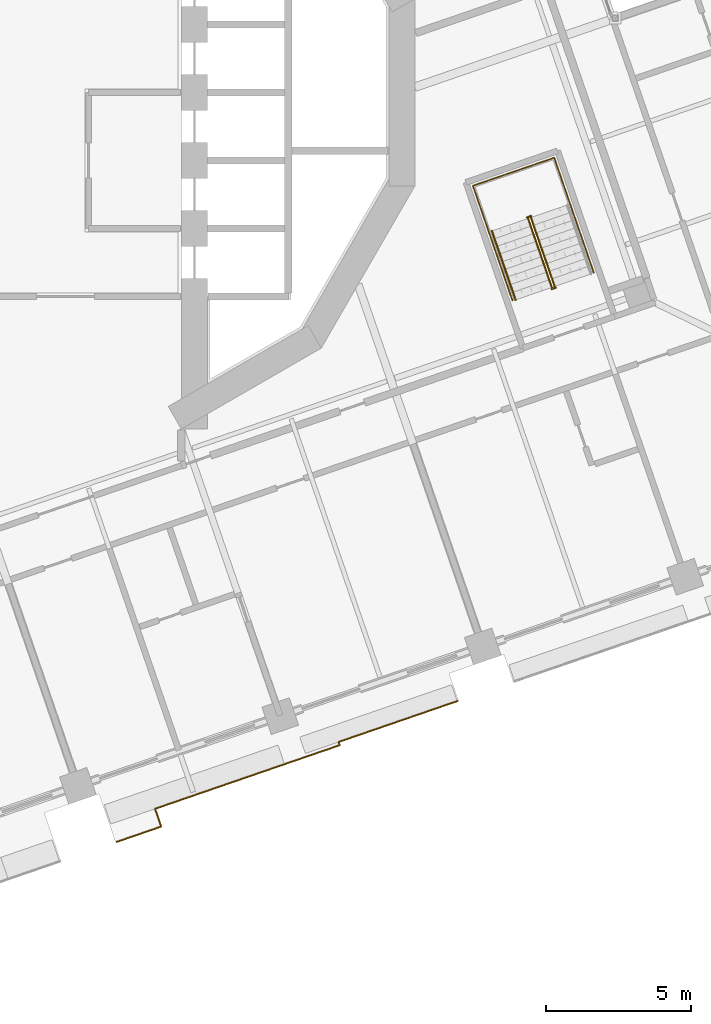
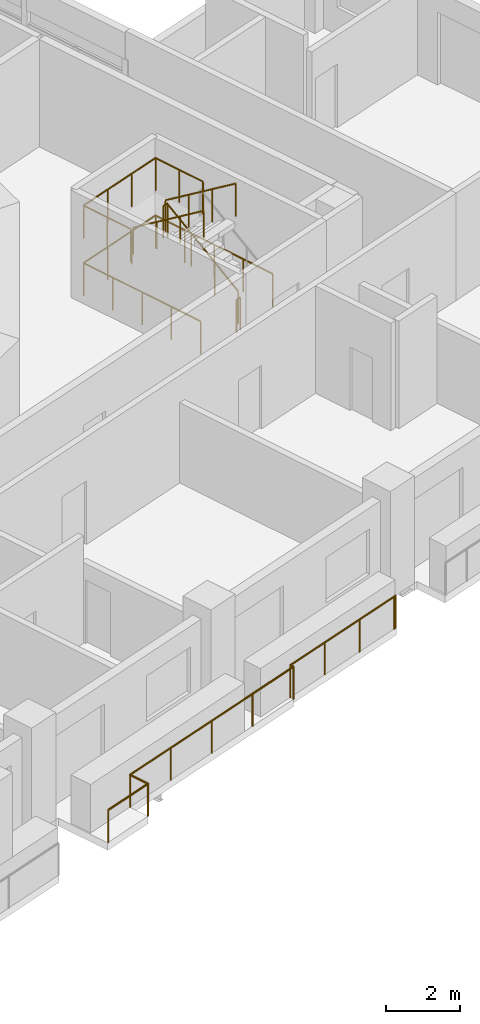
# One storey, part 16 of 19: 7 railings.
"""IFC4 building model written with IfcOpenShell, lengths in metres."""

from ifc_helpers import new_model, si_unit, direction, frame, origin, origin_2d, place, context, subcontext, project, spatial, circle, extrude, material, type_object, element, save


model = new_model("IFC4")

# Units and contexts
model_context = context("Model", 3, precision=1e-05, world=origin(), true_north=direction((0.0, 1.0)))
body_context = subcontext(model_context, "Body", "Model", "MODEL_VIEW")
ifc_project = project(units=[si_unit("LENGTHUNIT", "METRE"), si_unit("AREAUNIT", "SQUARE_METRE"), si_unit("VOLUMEUNIT", "CUBIC_METRE"), si_unit("PLANEANGLEUNIT", "RADIAN"), si_unit("MASSUNIT", "GRAM", prefix="KILO")], contexts=[model_context])

# Site, building, storey
site_placement = place(None, origin())
site = spatial("IfcSite", under=ifc_project, at=site_placement, CompositionType="ELEMENT")
building_placement = place(site_placement, origin())
building = spatial("IfcBuilding", under=site, at=building_placement, Name="Cantera Rosa Tower", CompositionType="ELEMENT")
storey_placement = place(building_placement, frame((0.0, 0.0, 130.699951171875)))
storey = spatial("IfcBuildingStorey", under=building, at=storey_placement, Name="L27", CompositionType="ELEMENT", Elevation=130.699951171875)

# Railings
ifc_material_1 = material(Name="Stainless steel and laminated glass", Category="steel")
railing_type_1 = type_object("IfcRailingType", Name="GUARD 1100", PredefinedType="BALUSTRADE", material=ifc_material_1)
railing_1_placement = place(storey_placement, frame((13.55615234375, -21.032470703125, 0.0)))
element("IfcRailing", 1, at=railing_1_placement, inside=storey, type_object=railing_type_1, Name="GUARD L27-8", PredefinedType="BALUSTRADE", context=body_context, shape_type="SweptSolid", body=[
    extrude(circle(Radius=0.030029296875, at=origin_2d()), frame((0.0, 0.0, 1.070068359375), z_axis=(-0.946220044844, -0.323523765333, 0.0), x_axis=(0.323523765333, -0.946220044844, 0.0)), (0.0, 0.0, 1.0), 0.070068359375),
    extrude(circle(Radius=0.030029296875, at=origin_2d()), frame((-0.06640625, -0.022705078125, 1.070068359375), z_axis=(-0.945512264962, -0.325586481301, 0.0), x_axis=(0.325586481301, -0.945512264962, 0.0)), (0.0, 0.0, 1.0), 4.28173828125),
    extrude(circle(Radius=0.030029296875, at=origin_2d()), frame((-4.11474609375, -1.416748046875, 1.070068359375), z_axis=(0.326117900523, -0.945329104047, 0.0), x_axis=(0.945329104047, 0.326117900523, 0.0)), (0.0, 0.0, 1.0), 0.1181640625),
    extrude(circle(Radius=0.030029296875, at=origin_2d()), frame((-4.076171875, -1.528564453125, 1.070068359375), z_axis=(-0.945519334272, -0.325565951103, 0.0), x_axis=(0.325565951103, -0.945519334272, 0.0)), (0.0, 0.0, 1.0), 6.749755859375),
    extrude(circle(Radius=0.030029296875, at=origin_2d()), frame((-10.458251953125, -3.72607421875, 1.070068359375), z_axis=(0.32578247151, -0.945444753149, 0.0), x_axis=(0.945444753149, 0.32578247151, 0.0)), (0.0, 0.0, 1.0), 0.650390625),
    extrude(circle(Radius=0.030029296875, at=origin_2d()), frame((-10.246337890625, -4.341064453125, 1.070068359375), z_axis=(-0.945523301181, -0.325554430047, 0.0), x_axis=(0.325554430047, -0.945523301181, 0.0)), (0.0, 0.0, 1.0), 1.638671875),
    extrude(circle(Radius=0.02490234375, at=origin_2d()), origin(), (0.0, 0.0, 1.0), 1.0400390625),
    extrude(circle(Radius=0.02490234375, at=origin_2d()), frame((-0.06640625, -0.022705078125, 0.0)), (0.0, 0.0, 1.0), 1.0400390625),
    extrude(circle(Radius=0.02490234375, at=origin_2d()), frame((-1.415771484375, -0.4873046875, 0.0)), (0.0, 0.0, 1.0), 1.0400390625),
    extrude(circle(Radius=0.02490234375, at=origin_2d()), frame((-2.765380859375, -0.9521484375, 0.0)), (0.0, 0.0, 1.0), 1.0400390625),
    extrude(circle(Radius=0.02490234375, at=origin_2d()), frame((-4.11474609375, -1.416748046875, 0.0)), (0.0, 0.0, 1.0), 1.0400390625),
    extrude(circle(Radius=0.02490234375, at=origin_2d()), frame((-4.076171875, -1.528564453125, 0.0)), (0.0, 0.0, 1.0), 1.0400390625),
    extrude(circle(Radius=0.02490234375, at=origin_2d()), frame((-5.671630859375, -2.077880859375, 0.0)), (0.0, 0.0, 1.0), 1.0400390625),
    extrude(circle(Radius=0.02490234375, at=origin_2d()), frame((-7.26708984375, -2.62744140625, 0.0)), (0.0, 0.0, 1.0), 1.0400390625),
    extrude(circle(Radius=0.02490234375, at=origin_2d()), frame((-8.86279296875, -3.1767578125, 0.0)), (0.0, 0.0, 1.0), 1.0400390625),
    extrude(circle(Radius=0.02490234375, at=origin_2d()), frame((-10.458251953125, -3.72607421875, 0.0)), (0.0, 0.0, 1.0), 1.0400390625),
    extrude(circle(Radius=0.02490234375, at=origin_2d()), frame((-10.246337890625, -4.341064453125, 0.0)), (0.0, 0.0, 1.0), 1.0400390625),
    extrude(circle(Radius=0.02490234375, at=origin_2d()), frame((-11.795654296875, -4.87451171875, 0.0)), (0.0, 0.0, 1.0), 1.0400390625),
])
ifc_material_2 = material(Name="Steel S355J2 (EN 10025-2)", Category="steel")
railing_type_2 = type_object("IfcRailingType", Name="STAIR GUARD 1100", PredefinedType="GUARDRAIL", material=ifc_material_2)
railing_2_placement = place(storey_placement, frame((16.902099609375, -6.707763671875, 0.18994140625)))
element("IfcRailing", 2, at=railing_2_placement, inside=storey, type_object=railing_type_2, Name="L27 ST-23 stair guard 1", PredefinedType="GUARDRAIL", context=body_context, shape_type="SweptSolid", body=[
    extrude(circle(Radius=0.02392578125, at=origin_2d()), frame((0.0, 0.0, 1.076171875), z_axis=(-0.269345946519, 0.782385844651, 0.561538201002), x_axis=(-0.945537585866, -0.325512939397, 0.0)), (0.0, 0.0, 1.0), 3.045654296875),
    extrude(circle(Radius=0.02392578125, at=origin_2d()), frame((-0.8203125, 2.3828125, 2.7861328125), z_axis=(0.147491890402, 0.989063265047, 0.0), x_axis=(-0.989063265047, 0.147491890402, 0.0)), (0.0, 0.0, 1.0), 0.056396484375),
    extrude(circle(Radius=0.02392578125, at=origin_2d()), frame((-0.81201171875, 2.4384765625, 2.7861328125), z_axis=(-0.945545797087, -0.325489086777, 0.0), x_axis=(0.325489086777, -0.945545797087, 0.0)), (0.0, 0.0, 1.0), 0.14990234375),
    extrude(circle(Radius=0.02099609375, at=origin_2d()), origin(), (0.0, 0.0, 1.0), 1.052001953125),
    extrude(circle(Radius=0.02099609375, at=origin_2d()), frame((-0.2734375, 0.794189453125, 0.570068359375)), (0.0, 0.0, 1.0), 1.052001953125),
    extrude(circle(Radius=0.02099609375, at=origin_2d()), frame((-0.546875, 1.588623046875, 1.14013671875)), (0.0, 0.0, 1.0), 1.052001953125),
    extrude(circle(Radius=0.02099609375, at=origin_2d()), frame((-0.8203125, 2.3828125, 1.710205078125)), (0.0, 0.0, 1.0), 1.052001953125),
    extrude(circle(Radius=0.02099609375, at=origin_2d()), frame((-0.81201171875, 2.4384765625, 1.710205078125)), (0.0, 0.0, 1.0), 1.052001953125),
    extrude(circle(Radius=0.02099609375, at=origin_2d()), frame((-0.953857421875, 2.3896484375, 1.710205078125)), (0.0, 0.0, 1.0), 1.052001953125),
])
railing_3_placement = place(storey_placement, frame((15.989013671875, -4.35693359375, 2.090087890625)))
element("IfcRailing", 3, at=railing_3_placement, inside=storey, type_object=railing_type_2, Name="L27 ST-23 stair guard 2", PredefinedType="GUARDRAIL", context=body_context, shape_type="SweptSolid", body=[
    extrude(circle(Radius=0.02392578125, at=origin_2d()), frame((0.0, 0.0, 1.076171875), z_axis=(0.269432418223, -0.782404165978, 0.561471186323), x_axis=(0.94550776501, 0.325599548996, 0.0)), (0.0, 0.0, 1.0), 3.04541015625),
    extrude(circle(Radius=0.02099609375, at=origin_2d()), origin(), (0.0, 0.0, 1.0), 1.052001953125),
    extrude(circle(Radius=0.02099609375, at=origin_2d()), frame((0.2734375, -0.794189453125, 0.570068359375)), (0.0, 0.0, 1.0), 1.052001953125),
    extrude(circle(Radius=0.02099609375, at=origin_2d()), frame((0.547119140625, -1.588623046875, 1.139892578125)), (0.0, 0.0, 1.0), 1.052001953125),
    extrude(circle(Radius=0.02099609375, at=origin_2d()), frame((0.820556640625, -2.3828125, 1.7099609375)), (0.0, 0.0, 1.0), 1.052001953125),
])
railing_4_placement = place(storey_placement, frame((16.94287109375, -6.74658203125, 0.0)))
element("IfcRailing", 4, at=railing_4_placement, inside=storey, type_object=railing_type_2, Name="L27 ST-23 stair guard 3", PredefinedType="GUARDRAIL", context=body_context, shape_type="SweptSolid", body=[
    extrude(circle(Radius=0.02392578125, at=origin_2d()), frame((0.0, 0.0, 1.076171875), z_axis=(-0.945372981626, -0.325990683319, 0.0), x_axis=(0.325990683319, -0.945372981626, 0.0)), (0.0, 0.0, 1.0), 0.14990234375),
    extrude(circle(Radius=0.02099609375, at=origin_2d()), origin(), (0.0, 0.0, 1.0), 1.052001953125),
    extrude(circle(Radius=0.02099609375, at=origin_2d()), frame((-0.1416015625, -0.048828125, 0.0)), (0.0, 0.0, 1.0), 1.052001953125),
])
railing_5_placement = place(storey_placement, frame((18.256103515625, -6.22900390625, 0.0)))
element("IfcRailing", 5, at=railing_5_placement, inside=storey, type_object=railing_type_2, Name="L27 ST-23 stair guard 4", PredefinedType="GUARDRAIL", context=body_context, shape_type="SweptSolid", body=[
    extrude(circle(Radius=0.02392578125, at=origin_2d()), frame((0.0, 0.0, 1.076171875), z_axis=(-0.3255981694, 0.945508240093, 0.0), x_axis=(-0.945508240093, -0.3255981694, 0.0)), (0.0, 0.0, 1.0), 4.1982421875),
    extrude(circle(Radius=0.02392578125, at=origin_2d()), frame((-1.366943359375, 3.969482421875, 1.076171875), z_axis=(-0.945504814226, -0.325608117645, 0.0), x_axis=(0.325608117645, -0.945504814226, 0.0)), (0.0, 0.0, 1.0), 2.969970703125),
    extrude(circle(Radius=0.02392578125, at=origin_2d()), frame((-4.175048828125, 3.00244140625, 1.076171875), z_axis=(0.325564081496, -0.945519978022, 0.0), x_axis=(0.945519978022, 0.325564081496, 0.0)), (0.0, 0.0, 1.0), 4.197998046875),
    extrude(circle(Radius=0.02099609375, at=origin_2d()), origin(), (0.0, 0.0, 1.0), 1.052001953125),
    extrude(circle(Radius=0.02099609375, at=origin_2d()), frame((-0.341796875, 0.992431640625, 0.0)), (0.0, 0.0, 1.0), 1.052001953125),
    extrude(circle(Radius=0.02099609375, at=origin_2d()), frame((-0.68359375, 1.98486328125, 0.0)), (0.0, 0.0, 1.0), 1.052001953125),
    extrude(circle(Radius=0.02099609375, at=origin_2d()), frame((-1.025146484375, 2.97705078125, 0.0)), (0.0, 0.0, 1.0), 1.052001953125),
    extrude(circle(Radius=0.02099609375, at=origin_2d()), frame((-1.366943359375, 3.969482421875, 0.0)), (0.0, 0.0, 1.0), 1.052001953125),
    extrude(circle(Radius=0.02099609375, at=origin_2d()), frame((-2.302978515625, 3.647216796875, 0.0)), (0.0, 0.0, 1.0), 1.052001953125),
    extrude(circle(Radius=0.02099609375, at=origin_2d()), frame((-3.239013671875, 3.32470703125, 0.0)), (0.0, 0.0, 1.0), 1.052001953125),
    extrude(circle(Radius=0.02099609375, at=origin_2d()), frame((-4.175048828125, 3.00244140625, 0.0)), (0.0, 0.0, 1.0), 1.052001953125),
    extrude(circle(Radius=0.02099609375, at=origin_2d()), frame((-3.83349609375, 2.01025390625, 0.0)), (0.0, 0.0, 1.0), 1.052001953125),
    extrude(circle(Radius=0.02099609375, at=origin_2d()), frame((-3.49169921875, 1.017822265625, 0.0)), (0.0, 0.0, 1.0), 1.052001953125),
    extrude(circle(Radius=0.02099609375, at=origin_2d()), frame((-3.14990234375, 0.025390625, 0.0)), (0.0, 0.0, 1.0), 1.052001953125),
    extrude(circle(Radius=0.02099609375, at=origin_2d()), frame((-2.808349609375, -0.966796875, 0.0)), (0.0, 0.0, 1.0), 1.052001953125),
])
railing_6_placement = place(storey_placement, frame((17.443359375, -3.868896484375, 1.900146484375)))
element("IfcRailing", 6, at=railing_6_placement, inside=storey, type_object=railing_type_2, Name="L27 ST-23 stair guard 5", PredefinedType="GUARDRAIL", context=body_context, shape_type="SweptSolid", body=[
    extrude(circle(Radius=0.02392578125, at=origin_2d()), frame((0.0, 0.0, 1.076171875), z_axis=(-0.32559282233, 0.94551008141, 0.0), x_axis=(-0.94551008141, -0.32559282233, 0.0)), (0.0, 0.0, 1.0), 1.7021484375),
    extrude(circle(Radius=0.02392578125, at=origin_2d()), frame((-0.55419921875, 1.609375, 1.076171875), z_axis=(-0.945504814226, -0.325608117645, 0.0), x_axis=(0.325608117645, -0.945504814226, 0.0)), (0.0, 0.0, 1.0), 2.969970703125),
    extrude(circle(Radius=0.02392578125, at=origin_2d()), frame((-3.3623046875, 0.642333984375, 1.076171875), z_axis=(0.32559282233, -0.94551008141, 0.0), x_axis=(0.94551008141, 0.32559282233, 0.0)), (0.0, 0.0, 1.0), 1.7021484375),
    extrude(circle(Radius=0.02099609375, at=origin_2d()), origin(), (0.0, 0.0, 1.0), 1.052001953125),
    extrude(circle(Radius=0.02099609375, at=origin_2d()), frame((-0.277099609375, 0.8046875, 0.0)), (0.0, 0.0, 1.0), 1.052001953125),
    extrude(circle(Radius=0.02099609375, at=origin_2d()), frame((-0.55419921875, 1.609375, 0.0)), (0.0, 0.0, 1.0), 1.052001953125),
    extrude(circle(Radius=0.02099609375, at=origin_2d()), frame((-1.490234375, 1.287109375, 0.0)), (0.0, 0.0, 1.0), 1.052001953125),
    extrude(circle(Radius=0.02099609375, at=origin_2d()), frame((-2.42626953125, 0.964599609375, 0.0)), (0.0, 0.0, 1.0), 1.052001953125),
    extrude(circle(Radius=0.02099609375, at=origin_2d()), frame((-3.3623046875, 0.642333984375, 0.0)), (0.0, 0.0, 1.0), 1.052001953125),
    extrude(circle(Radius=0.02099609375, at=origin_2d()), frame((-3.085205078125, -0.162353515625, 0.0)), (0.0, 0.0, 1.0), 1.052001953125),
    extrude(circle(Radius=0.02099609375, at=origin_2d()), frame((-2.80810546875, -0.967041015625, 0.0)), (0.0, 0.0, 1.0), 1.052001953125),
])
ifc_material_3 = material(Name="Steel S355J2 (EN 10025-2)", Category="steel")
railing_type_3 = type_object("IfcRailingType", Name="STAIR HANDRAIL 900", PredefinedType="HANDRAIL", material=ifc_material_3)
railing_7_placement = place(storey_placement, frame((14.7353515625, -4.78857421875, 2.090087890625)))
element("IfcRailing", 7, at=railing_7_placement, inside=storey, type_object=railing_type_3, Name="L27 ST-23 stair handrail 2", PredefinedType="HANDRAIL", context=body_context, shape_type="SweptSolid", body=[
    extrude(circle(Radius=0.02392578125, at=origin_2d()), frame((0.0, 0.0, 0.8759765625), z_axis=(0.269358070891, -0.782421063063, 0.561483312059), x_axis=(0.945537585866, 0.325512939397, 0.0)), (0.0, 0.0, 1.0), 3.04541015625),
    extrude(circle(Radius=0.02099609375, at=origin_2d()), origin(), (0.0, 0.0, 1.0), 0.851806640625),
    extrude(circle(Radius=0.02099609375, at=origin_2d()), frame((0.2734375, -0.794189453125, 0.570068359375)), (0.0, 0.0, 1.0), 0.851806640625),
    extrude(circle(Radius=0.02099609375, at=origin_2d()), frame((0.546875, -1.588623046875, 1.139892578125)), (0.0, 0.0, 1.0), 0.851806640625),
    extrude(circle(Radius=0.02099609375, at=origin_2d()), frame((0.8203125, -2.3828125, 1.7099609375)), (0.0, 0.0, 1.0), 0.851806640625),
])

save(model, "model.ifc")
